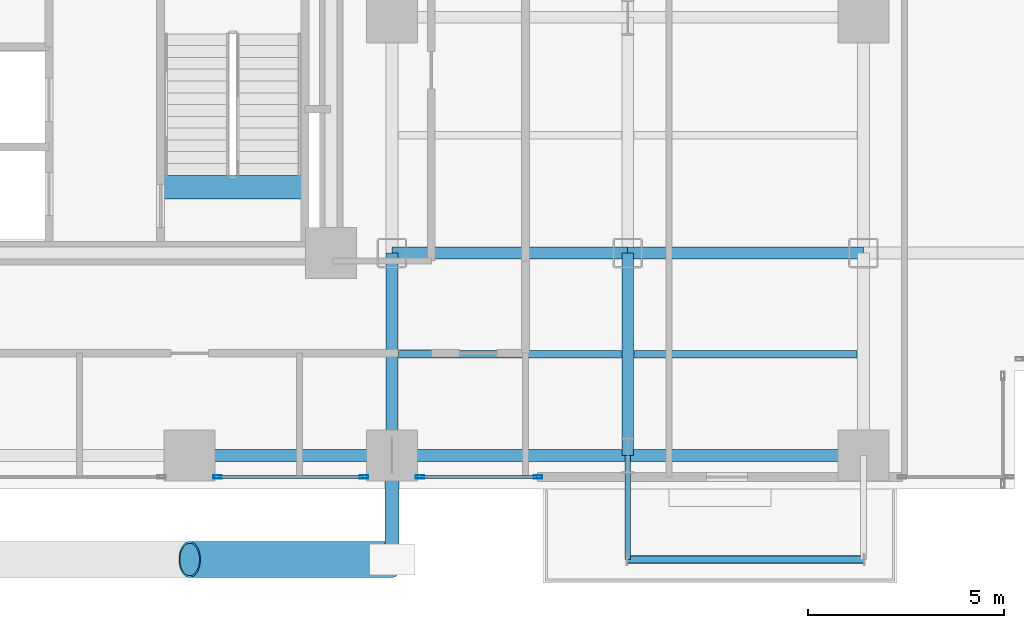
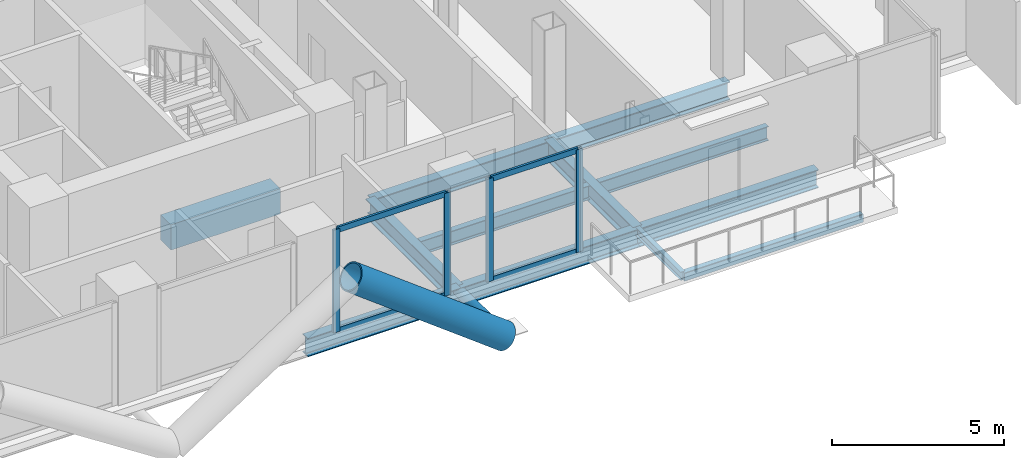
# One storey, part 8 of 27: 12 beams, 10 members, 2 elements without a shape of their own.
"""IFC4 building model written with IfcOpenShell, lengths in metres."""

from ifc_helpers import new_model, si_unit, direction, frame, origin, origin_2d, place, context, subcontext, project, spatial, rectangle, hollow_rectangle, hollow_circle, i_section, extrude, material, layer, layer_set, material_profile, profile_set, type_object, element, aggregate, save


model = new_model("IFC4")

# Units and contexts
model_context = context("Model", 3, precision=1e-05, world=origin(), true_north=direction((0.0, 1.0)))
body_context = subcontext(model_context, "Body", "Model", "MODEL_VIEW")
ifc_project = project(units=[si_unit("LENGTHUNIT", "METRE"), si_unit("AREAUNIT", "SQUARE_METRE"), si_unit("VOLUMEUNIT", "CUBIC_METRE"), si_unit("PLANEANGLEUNIT", "RADIAN"), si_unit("MASSUNIT", "GRAM", prefix="KILO"), si_unit("THERMODYNAMICTEMPERATUREUNIT", "KELVIN"), si_unit("POWERUNIT", "WATT")], contexts=[model_context])

# Site, building, storey
site_placement = place(None, origin())
site = spatial("IfcSite", under=ifc_project, at=site_placement, CompositionType="ELEMENT")
building_placement = place(site_placement, origin())
building = spatial("IfcBuilding", under=site, at=building_placement, Name="Svarakhadi Broadcast Tower", CompositionType="ELEMENT")
storey_placement = place(building_placement, frame((0.0, 0.0, 59.699951171875)))
storey = spatial("IfcBuildingStorey", under=building, at=storey_placement, Name="L13", CompositionType="ELEMENT", Elevation=59.699951171875)

# Beams
ifc_material_1 = material(Name="Steel S355J2 (IS 2062 E350C)", Category="steel")
ifc_material_profile_1 = material_profile(ifc_material_1, i_section(OverallWidth=0.199951171875, OverallDepth=0.5, WebThickness=0.01025390625, FlangeThickness=0.01611328125, FilletRadius=0.02099609375, at=origin_2d()), Name="NPB 500x200x91")
ifc_profile_set_1 = profile_set([ifc_material_profile_1], Name="Steel S355J2 (IS 2062 E350C)")
beam_type_1 = type_object("IfcBeamType", Name="Beam_NPB500", PredefinedType="BEAM", material=ifc_profile_set_1)
for number, where, z_axis, x_axis, name in (
    (1, (35.31005859375, 3.425048828125, -0.5), (1.0, 0.0, 0.0), (0.0, 1.0, 0.0), "L13 Secondary Composite Beam SB022"),
    (2, (41.31005859375, 3.425048828125, -0.5), (1.0, 0.0, 0.0), (0.0, 1.0, 0.0), "L13 Secondary Composite Beam SB025"),
):
    element("IfcBeam", number, at=place(storey_placement, frame(where, z_axis=z_axis, x_axis=x_axis)), inside=storey, type_object=beam_type_1, Name=name, PredefinedType="BEAM", context=body_context, shape_type="SweptSolid", body=[
        extrude(i_section(OverallWidth=0.199951171875, OverallDepth=0.5, WebThickness=0.01025390625, FlangeThickness=0.01611328125, FilletRadius=0.02099609375, at=origin_2d()), origin(), (0.0, 0.0, 1.0), 5.679931640625),
    ])

# Curtain wall, members
ifc_material_2 = material(Name="Anodised Bronze Aluminium AA 6063-T6", Category="aluminium")
ifc_layer = layer(ifc_material_2, 0.219970703125)
ifc_layer_set = layer_set([ifc_layer], Name="Anodised Bronze Aluminium AA 6063-T6")
curtain_wall_type = type_object("IfcCurtainWallType", Name="CW_Sys_02", PredefinedType="NOTDEFINED", material=ifc_layer_set)
curtain_wall_1_placement = place(storey_placement, origin())
curtain_wall_1 = element("IfcCurtainWall", 3, at=curtain_wall_1_placement, inside=storey, type_object=curtain_wall_type, Name="L13 South Curtain Wall 17 Bay 1", PredefinedType="NOTDEFINED")
ifc_material_profile_2 = material_profile(ifc_material_2, hollow_rectangle(XDim=0.0849609375, YDim=0.219970703125, WallThickness=0.006103515625, at=origin_2d()), Name="ALU MULLION 220x85x6")
ifc_profile_set_2 = profile_set([ifc_material_profile_2], Name="Anodised Bronze Aluminium AA 6063-T6")
member_type_1 = type_object("IfcMemberType", Name="CW_Sys_02_Mul", PredefinedType="MULLION", material=ifc_profile_set_2)
member_1_placement = place(storey_placement, frame((38.867431640625, 0.300048828125, 0.0), z_axis=(0.0, 0.0, 1.0), x_axis=(0.0, -1.0, 0.0)))
member_1 = element("IfcMember", 4, at=member_1_placement, type_object=member_type_1, Name="CW-02 mullion 1", PredefinedType="MULLION", context=body_context, shape_type="SweptSolid", body=[
    extrude(hollow_rectangle(XDim=0.0849609375, YDim=0.219970703125, WallThickness=0.006103515625, at=origin_2d()), origin(), (0.0, 0.0, 1.0), 3.650146484375),
])
member_2_placement = place(storey_placement, frame((35.862548828125, 0.300048828125, 0.0), z_axis=(0.0, 0.0, 1.0), x_axis=(0.0, -1.0, 0.0)))
member_2 = element("IfcMember", 5, at=member_2_placement, type_object=member_type_1, Name="CW-02 mullion 2", PredefinedType="MULLION", context=body_context, shape_type="SweptSolid", body=[
    extrude(hollow_rectangle(XDim=0.0849609375, YDim=0.219970703125, WallThickness=0.006103515625, at=origin_2d()), origin(), (0.0, 0.0, 1.0), 3.650146484375),
])

curtain_wall_2_placement = place(storey_placement, origin())
curtain_wall_2 = element("IfcCurtainWall", 6, at=curtain_wall_2_placement, inside=storey, type_object=curtain_wall_type, Name="L13 South Curtain Wall 17 Bay 2", PredefinedType="NOTDEFINED")
member_3_placement = place(storey_placement, frame((34.4375, 0.300048828125, 0.0), z_axis=(0.0, 0.0, 1.0), x_axis=(0.0, -1.0, 0.0)))
member_3 = element("IfcMember", 7, at=member_3_placement, type_object=member_type_1, Name="CW-02 mullion 1", PredefinedType="MULLION", context=body_context, shape_type="SweptSolid", body=[
    extrude(hollow_rectangle(XDim=0.0849609375, YDim=0.219970703125, WallThickness=0.006103515625, at=origin_2d()), origin(), (0.0, 0.0, 1.0), 3.650146484375),
])
member_4_placement = place(storey_placement, frame((30.71240234375, 0.300048828125, 0.0), z_axis=(0.0, 0.0, 1.0), x_axis=(0.0, -1.0, 0.0)))
member_4 = element("IfcMember", 8, at=member_4_placement, type_object=member_type_1, Name="CW-02 mullion 2", PredefinedType="MULLION", context=body_context, shape_type="SweptSolid", body=[
    extrude(hollow_rectangle(XDim=0.0849609375, YDim=0.219970703125, WallThickness=0.006103515625, at=origin_2d()), origin(), (0.0, 0.0, 1.0), 3.650146484375),
])

# Member
ifc_material_profile_3 = material_profile(ifc_material_2, hollow_rectangle(XDim=0.074951171875, YDim=0.199951171875, WallThickness=0.0048828125, at=origin_2d()), Name="ALU TRANSOM 200x75x5")
ifc_profile_set_3 = profile_set([ifc_material_profile_3], Name="Anodised Bronze Aluminium AA 6063-T6")
member_type_2 = type_object("IfcMemberType", Name="CW_Sys_02_Trn", PredefinedType="USERDEFINED", material=ifc_profile_set_3)
member_5_placement = place(storey_placement, frame((38.824951171875, 0.300048828125, 0.03759765625), z_axis=(-1.0, 0.0, 0.0), x_axis=(0.0, -1.0, 0.0)))
member_5 = element("IfcMember", 9, at=member_5_placement, type_object=member_type_2, Name="CW-02 transom 1.1", ObjectType="TRANSOM", PredefinedType="USERDEFINED", context=body_context, shape_type="SweptSolid", body=[
    extrude(hollow_rectangle(XDim=0.074951171875, YDim=0.199951171875, WallThickness=0.0048828125, at=origin_2d()), origin(), (0.0, 0.0, 1.0), 2.919921875),
])

member_6_placement = place(storey_placement, frame((38.824951171875, 0.300048828125, 3.612548828125), z_axis=(-1.0, 0.0, 0.0), x_axis=(0.0, -1.0, 0.0)))
member_6 = element("IfcMember", 10, at=member_6_placement, type_object=member_type_2, Name="CW-02 transom 1.2", ObjectType="TRANSOM", PredefinedType="USERDEFINED", context=body_context, shape_type="SweptSolid", body=[
    extrude(hollow_rectangle(XDim=0.074951171875, YDim=0.199951171875, WallThickness=0.0048828125, at=origin_2d()), origin(), (0.0, 0.0, 1.0), 2.919921875),
])

aggregate(curtain_wall_1, [member_1, member_2, member_5, member_6])

member_7_placement = place(storey_placement, frame((34.39501953125, 0.300048828125, 0.03759765625), z_axis=(-1.0, 0.0, 0.0), x_axis=(0.0, -1.0, 0.0)))
member_7 = element("IfcMember", 11, at=member_7_placement, type_object=member_type_2, Name="CW-02 transom 1.1", ObjectType="TRANSOM", PredefinedType="USERDEFINED", context=body_context, shape_type="SweptSolid", body=[
    extrude(hollow_rectangle(XDim=0.074951171875, YDim=0.199951171875, WallThickness=0.0048828125, at=origin_2d()), origin(), (0.0, 0.0, 1.0), 3.64013671875),
])

member_8_placement = place(storey_placement, frame((34.39501953125, 0.300048828125, 3.612548828125), z_axis=(-1.0, 0.0, 0.0), x_axis=(0.0, -1.0, 0.0)))
member_8 = element("IfcMember", 12, at=member_8_placement, type_object=member_type_2, Name="CW-02 transom 1.2", ObjectType="TRANSOM", PredefinedType="USERDEFINED", context=body_context, shape_type="SweptSolid", body=[
    extrude(hollow_rectangle(XDim=0.074951171875, YDim=0.199951171875, WallThickness=0.0048828125, at=origin_2d()), origin(), (0.0, 0.0, 1.0), 3.64013671875),
])

aggregate(curtain_wall_2, [member_3, member_4, member_7, member_8])

# Beam
ifc_material_3 = material(Name="Concrete C50/60 (IS 456 M60)", Category="concrete")
ifc_material_profile_4 = material_profile(ifc_material_3, rectangle(XDim=0.60009765625, YDim=0.89990234375, at=origin_2d()), Name="RC 600x900")
ifc_profile_set_4 = profile_set([ifc_material_profile_4], Name="Concrete C50/60 (IS 456 M60)")
beam_type_2 = type_object("IfcBeamType", Name="Coupling_RC600", PredefinedType="USERDEFINED", material=ifc_profile_set_4)
beam_1_placement = place(storey_placement, frame((29.260009765625, 7.679931640625, -0.449951171875), z_axis=(1.0, 0.0, 0.0), x_axis=(0.0, 1.0, 0.0)))
element("IfcBeam", 13, at=beam_1_placement, inside=storey, type_object=beam_type_2, Name="L13 Stair ST-02 Landing Throat Trimmer Beam CB-01", ObjectType="GIRDER", PredefinedType="USERDEFINED", context=body_context, shape_type="SweptSolid", body=[
    extrude(rectangle(XDim=0.60009765625, YDim=0.89990234375, at=origin_2d()), origin(), (0.0, 0.0, 1.0), 3.679931640625),
])

# Members
ifc_material_4 = material(Name="Steel S460ML (IS 2062 E450BR)", Category="steel")
ifc_material_profile_5 = material_profile(ifc_material_4, hollow_circle(Radius=0.45703125, WallThickness=0.044921875, at=origin_2d()), Name="CHS 914x45")
ifc_profile_set_5 = profile_set([ifc_material_profile_5], Name="Steel S460ML (IS 2062 E450BR)")
member_type_3 = type_object("IfcMemberType", Name="Exo_Brace_CHS914", PredefinedType="BRACE", material=ifc_profile_set_5)
member_9_placement = place(storey_placement, frame((35.14990234375, -1.800048828125, -0.427734375), z_axis=(-0.797206791841, 0.0, 0.603706328476), x_axis=(0.0, -1.0, 0.0)))
element("IfcMember", 14, at=member_9_placement, inside=storey, type_object=member_type_3, Name="L13 Exposed Bronze Exoskeleton Diagonal S05", PredefinedType="BRACE", context=body_context, shape_type="SweptSolid", body=[
    extrude(hollow_circle(Radius=0.45703125, WallThickness=0.044921875, at=origin_2d()), origin(), (0.0, 0.0, 1.0), 6.4599609375),
])
ifc_material_profile_6 = material_profile(ifc_material_4, hollow_circle(Radius=0.177734375, WallThickness=0.02001953125, at=origin_2d()), Name="CHS 355.6x20")
ifc_profile_set_6 = profile_set([ifc_material_profile_6], Name="Steel S460ML (IS 2062 E450BR)")
member_type_4 = type_object("IfcMemberType", Name="Exo_Radial_Strut_Z1", PredefinedType="STRUT", material=ifc_profile_set_6)
member_10_placement = place(storey_placement, frame((35.14990234375, -1.800048828125, -0.427734375), z_axis=(0.0, 1.0, 0.0), x_axis=(-1.0, 0.0, 0.0)))
element("IfcMember", 15, at=member_10_placement, inside=storey, type_object=member_type_4, Name="L13 Exoskeleton Radial Tie Strut S03", PredefinedType="STRUT", context=body_context, shape_type="SweptSolid", body=[
    extrude(hollow_circle(Radius=0.177734375, WallThickness=0.02001953125, at=origin_2d()), origin(), (0.0, 0.0, 1.0), 2.650146484375),
])

# Beams
ifc_material_profile_7 = material_profile(ifc_material_1, i_section(OverallWidth=0.300048828125, OverallDepth=0.64990234375, WebThickness=0.01611328125, FlangeThickness=0.031005859375, FilletRadius=0.027099609375, at=origin_2d()), Name="WPB 650x300x225")
ifc_profile_set_7 = profile_set([ifc_material_profile_7], Name="Steel S355J2 (IS 2062 E350C)")
beam_type_3 = type_object("IfcBeamType", Name="Girder_WPB650", PredefinedType="USERDEFINED", material=ifc_profile_set_7)
beam_2_placement = place(storey_placement, frame((30.0, 0.85009765625, -0.574951171875), z_axis=(1.0, 0.0, 0.0), x_axis=(0.0, 1.0, 0.0)))
element("IfcBeam", 16, at=beam_2_placement, inside=storey, type_object=beam_type_3, Name="L13 Primary E-W Girder G008", ObjectType="GIRDER", PredefinedType="USERDEFINED", context=body_context, shape_type="SweptSolid", body=[
    extrude(i_section(OverallWidth=0.300048828125, OverallDepth=0.64990234375, WebThickness=0.01611328125, FlangeThickness=0.031005859375, FilletRadius=0.027099609375, at=origin_2d()), origin(), (0.0, 0.0, 1.0), 5.14990234375),
])
for number, where, z_axis, x_axis, name in (
    (17, (35.14990234375, 0.85009765625, -0.574951171875), (1.0, 0.0, 0.0), (0.0, 1.0, 0.0), "L13 Primary E-W Girder G009"),
    (18, (41.14990234375, 0.85009765625, -0.574951171875), (1.0, 0.0, 0.0), (0.0, 1.0, 0.0), "L13 Primary E-W Girder G010"),
    (19, (35.14990234375, 6.0, -0.574951171875), (1.0, 0.0, 0.0), (0.0, 1.0, 0.0), "L13 Primary E-W Girder G016"),
    (20, (41.14990234375, 6.0, -0.574951171875), (1.0, 0.0, 0.0), (0.0, 1.0, 0.0), "L13 Primary E-W Girder G017"),
):
    element("IfcBeam", number, at=place(storey_placement, frame(where, z_axis=z_axis, x_axis=x_axis)), inside=storey, type_object=beam_type_3, Name=name, ObjectType="GIRDER", PredefinedType="USERDEFINED", context=body_context, shape_type="SweptSolid", body=[
        extrude(i_section(OverallWidth=0.300048828125, OverallDepth=0.64990234375, WebThickness=0.01611328125, FlangeThickness=0.031005859375, FilletRadius=0.027099609375, at=origin_2d()), origin(), (0.0, 0.0, 1.0), 6.0),
    ])
for number, where, z_axis, x_axis, name in (
    (21, (35.14990234375, 0.85009765625, -0.574951171875), (0.0, 1.0, 0.0), (-1.0, 0.0, 0.0), "L13 Primary N-S Girder G076"),
    (22, (41.14990234375, 0.85009765625, -0.574951171875), (0.0, 1.0, 0.0), (-1.0, 0.0, 0.0), "L13 Primary N-S Girder G079"),
):
    element("IfcBeam", number, at=place(storey_placement, frame(where, z_axis=z_axis, x_axis=x_axis)), inside=storey, type_object=beam_type_3, Name=name, ObjectType="GIRDER", PredefinedType="USERDEFINED", context=body_context, shape_type="SweptSolid", body=[
        extrude(i_section(OverallWidth=0.300048828125, OverallDepth=0.64990234375, WebThickness=0.01611328125, FlangeThickness=0.031005859375, FilletRadius=0.027099609375, at=origin_2d()), origin(), (0.0, 0.0, 1.0), 5.14990234375),
    ])
ifc_material_profile_8 = material_profile(ifc_material_1, i_section(OverallWidth=0.14990234375, OverallDepth=0.300048828125, WebThickness=0.007080078125, FlangeThickness=0.0107421875, FilletRadius=0.014892578125, at=origin_2d()), Name="NPB 300x150x37")
ifc_profile_set_8 = profile_set([ifc_material_profile_8], Name="Steel S355J2 (IS 2062 E350C)")
beam_type_4 = type_object("IfcBeamType", Name="Spandrel_NPB300", PredefinedType="SPANDREL", material=ifc_profile_set_8)
beam_3_placement = place(storey_placement, frame((41.14990234375, 0.85009765625, -0.39990234375), z_axis=(0.0, -1.0, 0.0), x_axis=(1.0, 0.0, 0.0)))
element("IfcBeam", 23, at=beam_3_placement, inside=storey, type_object=beam_type_4, Name="L13 Balcony Cantilever Bracket 1A", PredefinedType="SPANDREL", context=body_context, shape_type="SweptSolid", body=[
    extrude(i_section(OverallWidth=0.14990234375, OverallDepth=0.300048828125, WebThickness=0.007080078125, FlangeThickness=0.0107421875, FilletRadius=0.014892578125, at=origin_2d()), origin(), (0.0, 0.0, 1.0), 2.650146484375),
])
ifc_material_profile_9 = material_profile(ifc_material_4, hollow_rectangle(XDim=0.199951171875, YDim=0.300048828125, WallThickness=0.012451171875, InnerFilletRadius=0.012451171875, OuterFilletRadius=0.02490234375, at=origin_2d()), Name="RHS 300x200x12.5")
ifc_profile_set_9 = profile_set([ifc_material_profile_9], Name="Steel S460ML (IS 2062 E450BR)")
beam_type_5 = type_object("IfcBeamType", Name="Spandrel_RHS300", PredefinedType="SPANDREL", material=ifc_profile_set_9)
beam_4_placement = place(storey_placement, frame((41.14990234375, -1.800048828125, -0.39990234375), z_axis=(1.0, 0.0, 0.0), x_axis=(0.0, 1.0, 0.0)))
element("IfcBeam", 24, at=beam_4_placement, inside=storey, type_object=beam_type_5, Name="L13 Balcony Outer Spandrel 1F", PredefinedType="SPANDREL", context=body_context, shape_type="SweptSolid", body=[
    extrude(hollow_rectangle(XDim=0.199951171875, YDim=0.300048828125, WallThickness=0.012451171875, InnerFilletRadius=0.012451171875, OuterFilletRadius=0.02490234375, at=origin_2d()), origin(), (0.0, 0.0, 1.0), 6.0),
])

save(model, "model.ifc")
